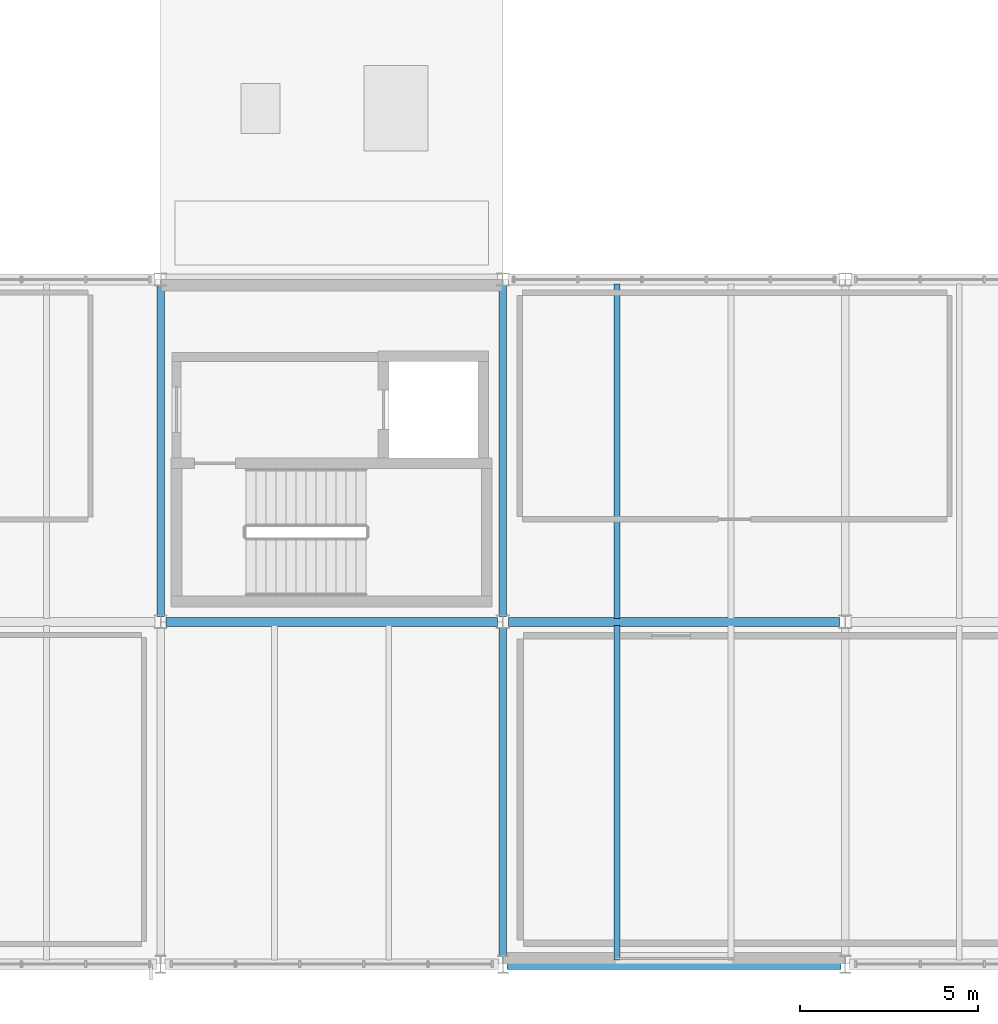
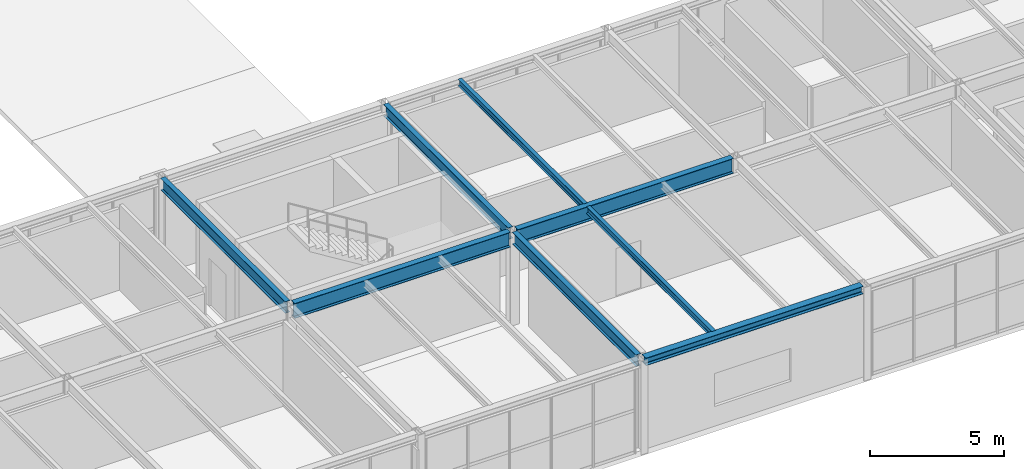
# One storey, part 33 of 170: 8 beams.
"""IFC4 building model written with IfcOpenShell, lengths in metres."""

from ifc_helpers import new_model, si_unit, direction, frame, origin, origin_2d, place, context, subcontext, project, spatial, i_section, extrude, material, material_profile, profile_set, type_object, element, save


model = new_model("IFC4")

# Units and contexts
model_context = context("Model", 3, precision=1e-05, world=origin(), true_north=direction((0.0, 1.0)))
body_context = subcontext(model_context, "Body", "Model", "MODEL_VIEW")
ifc_project = project(units=[si_unit("LENGTHUNIT", "METRE"), si_unit("AREAUNIT", "SQUARE_METRE"), si_unit("VOLUMEUNIT", "CUBIC_METRE"), si_unit("PLANEANGLEUNIT", "RADIAN"), si_unit("MASSUNIT", "GRAM", prefix="KILO")], contexts=[model_context])

# Site, building, storey
site_placement = place(None, origin())
site = spatial("IfcSite", under=ifc_project, at=site_placement, CompositionType="ELEMENT")
building_placement = place(site_placement, origin())
building = spatial("IfcBuilding", under=site, at=building_placement, Name="Coralgate Yard Interchange", CompositionType="ELEMENT")
storey_placement = place(building_placement, frame((0.0, 0.0, 6.0)))
storey = spatial("IfcBuildingStorey", under=building, at=storey_placement, Name="L01", CompositionType="ELEMENT", Elevation=6.0)

# Beams
ifc_material = material(Name="Structural steel S355J2", Category="steel")
ifc_material_profile_1 = material_profile(ifc_material, i_section(OverallWidth=0.209228515625, OverallDepth=0.533203125, WebThickness=0.010009765625, FlangeThickness=0.015625, FilletRadius=0.0126953125, at=origin_2d()), Name="UB 533x210x92")
ifc_profile_set_1 = profile_set([ifc_material_profile_1], Name="Structural steel S355J2")
beam_type_1 = type_object("IfcBeamType", Name="BM-SB-1", PredefinedType="BEAM", material=ifc_profile_set_1)
beam_1_placement = place(storey_placement, frame((48.0, 9.754150390625, 3.9833984375), z_axis=(0.0, 1.0, 0.0), x_axis=(-1.0, 0.0, 0.0)))
element("IfcBeam", 1, at=beam_1_placement, inside=storey, type_object=beam_type_1, Name="L01 primary grid girder X5 Y1-2", PredefinedType="BEAM", context=body_context, shape_type="SweptSolid", body=[
    extrude(i_section(OverallWidth=0.209228515625, OverallDepth=0.533203125, WebThickness=0.010009765625, FlangeThickness=0.015625, FilletRadius=0.0126953125, at=origin_2d()), origin(), (0.0, 0.0, 1.0), 9.291748046875),
])
beam_2_placement = place(storey_placement, frame((57.60009765625, 0.219970703125, 3.9833984375), z_axis=(0.0, 1.0, 0.0), x_axis=(-1.0, 0.0, 0.0)))
element("IfcBeam", 2, at=beam_2_placement, inside=storey, type_object=beam_type_1, Name="L01 primary grid girder X6 Y0-1", PredefinedType="BEAM", context=body_context, shape_type="SweptSolid", body=[
    extrude(i_section(OverallWidth=0.209228515625, OverallDepth=0.533203125, WebThickness=0.010009765625, FlangeThickness=0.015625, FilletRadius=0.0126953125, at=origin_2d()), origin(), (0.0, 0.0, 1.0), 9.225830078125),
])
beam_3_placement = place(storey_placement, frame((57.60009765625, 9.754150390625, 3.9833984375), z_axis=(0.0, 1.0, 0.0), x_axis=(-1.0, 0.0, 0.0)))
element("IfcBeam", 3, at=beam_3_placement, inside=storey, type_object=beam_type_1, Name="L01 primary grid girder X6 Y1-2", PredefinedType="BEAM", context=body_context, shape_type="SweptSolid", body=[
    extrude(i_section(OverallWidth=0.209228515625, OverallDepth=0.533203125, WebThickness=0.010009765625, FlangeThickness=0.015625, FilletRadius=0.0126953125, at=origin_2d()), origin(), (0.0, 0.0, 1.0), 9.291748046875),
])
ifc_material_profile_2 = material_profile(ifc_material, i_section(OverallWidth=0.253662109375, OverallDepth=0.68359375, WebThickness=0.012451171875, FlangeThickness=0.01904296875, FilletRadius=0.01513671875, at=origin_2d()), Name="UB 686x254x140")
ifc_profile_set_2 = profile_set([ifc_material_profile_2], Name="Structural steel S355J2")
beam_type_2 = type_object("IfcBeamType", Name="BM-SG-4", PredefinedType="BEAM", material=ifc_profile_set_2)
for number, where, z_axis, x_axis, name in (
    (4, (48.15625, 9.60009765625, 3.908203125), (1.0, 0.0, 0.0), (0.0, 1.0, 0.0), "L01 primary grid beam Y1 X5-6"),
    (5, (57.75634765625, 9.60009765625, 3.908203125), (1.0, 0.0, 0.0), (0.0, 1.0, 0.0), "L01 primary grid beam Y1 X6-7"),
):
    element("IfcBeam", number, at=place(storey_placement, frame(where, z_axis=z_axis, x_axis=x_axis)), inside=storey, type_object=beam_type_2, Name=name, PredefinedType="BEAM", context=body_context, shape_type="SweptSolid", body=[
        extrude(i_section(OverallWidth=0.253662109375, OverallDepth=0.68359375, WebThickness=0.012451171875, FlangeThickness=0.01904296875, FilletRadius=0.01513671875, at=origin_2d()), origin(), (0.0, 0.0, 1.0), 9.287353515625),
    ])
ifc_material_profile_3 = material_profile(ifc_material, i_section(OverallWidth=0.1650390625, OverallDepth=0.303466796875, WebThickness=0.006103515625, FlangeThickness=0.01025390625, FilletRadius=0.0087890625, at=origin_2d()), Name="UB 305x165x40")
ifc_profile_set_3 = profile_set([ifc_material_profile_3], Name="Structural steel S355J2")
beam_type_3 = type_object("IfcBeamType", Name="BM-SJ-1", PredefinedType="JOIST", material=ifc_profile_set_3)
beam_4_placement = place(storey_placement, frame((60.800048828125, 0.1201171875, 4.098388671875), z_axis=(0.0, 1.0, 0.0), x_axis=(-1.0, 0.0, 0.0)))
element("IfcBeam", 6, at=beam_4_placement, inside=storey, type_object=beam_type_3, Name="L01 composite floor joist 6-0-1", PredefinedType="JOIST", context=body_context, shape_type="SweptSolid", body=[
    extrude(i_section(OverallWidth=0.1650390625, OverallDepth=0.303466796875, WebThickness=0.006103515625, FlangeThickness=0.01025390625, FilletRadius=0.0087890625, at=origin_2d()), origin(), (0.0, 0.0, 1.0), 9.383056640625),
])
beam_5_placement = place(storey_placement, frame((60.800048828125, 9.69677734375, 4.098388671875), z_axis=(0.0, 1.0, 0.0), x_axis=(-1.0, 0.0, 0.0)))
element("IfcBeam", 7, at=beam_5_placement, inside=storey, type_object=beam_type_3, Name="L01 composite floor joist 6-1-1", PredefinedType="JOIST", context=body_context, shape_type="SweptSolid", body=[
    extrude(i_section(OverallWidth=0.1650390625, OverallDepth=0.303466796875, WebThickness=0.006103515625, FlangeThickness=0.01025390625, FilletRadius=0.0087890625, at=origin_2d()), origin(), (0.0, 0.0, 1.0), 9.38330078125),
])
ifc_material_profile_4 = material_profile(ifc_material, i_section(OverallWidth=0.300048828125, OverallDepth=0.35009765625, WebThickness=0.010009765625, FlangeThickness=0.017578125, FilletRadius=0.027099609375, at=origin_2d()), Name="HEA 360")
ifc_profile_set_4 = profile_set([ifc_material_profile_4], Name="Structural steel S355J2")
beam_type_4 = type_object("IfcBeamType", Name="BM-SP-1", PredefinedType="SPANDREL", material=ifc_profile_set_4)
beam_6_placement = place(storey_placement, frame((57.719970703125, 0.0, 4.074951171875), z_axis=(1.0, 0.0, 0.0), x_axis=(0.0, 1.0, 0.0)))
element("IfcBeam", 8, at=beam_6_placement, inside=storey, type_object=beam_type_4, Name="L01 primary grid beam Y0 X6-7", PredefinedType="SPANDREL", context=body_context, shape_type="SweptSolid", body=[
    extrude(i_section(OverallWidth=0.300048828125, OverallDepth=0.35009765625, WebThickness=0.010009765625, FlangeThickness=0.017578125, FilletRadius=0.027099609375, at=origin_2d()), origin(), (0.0, 0.0, 1.0), 9.360107421875),
])

save(model, "model.ifc")
